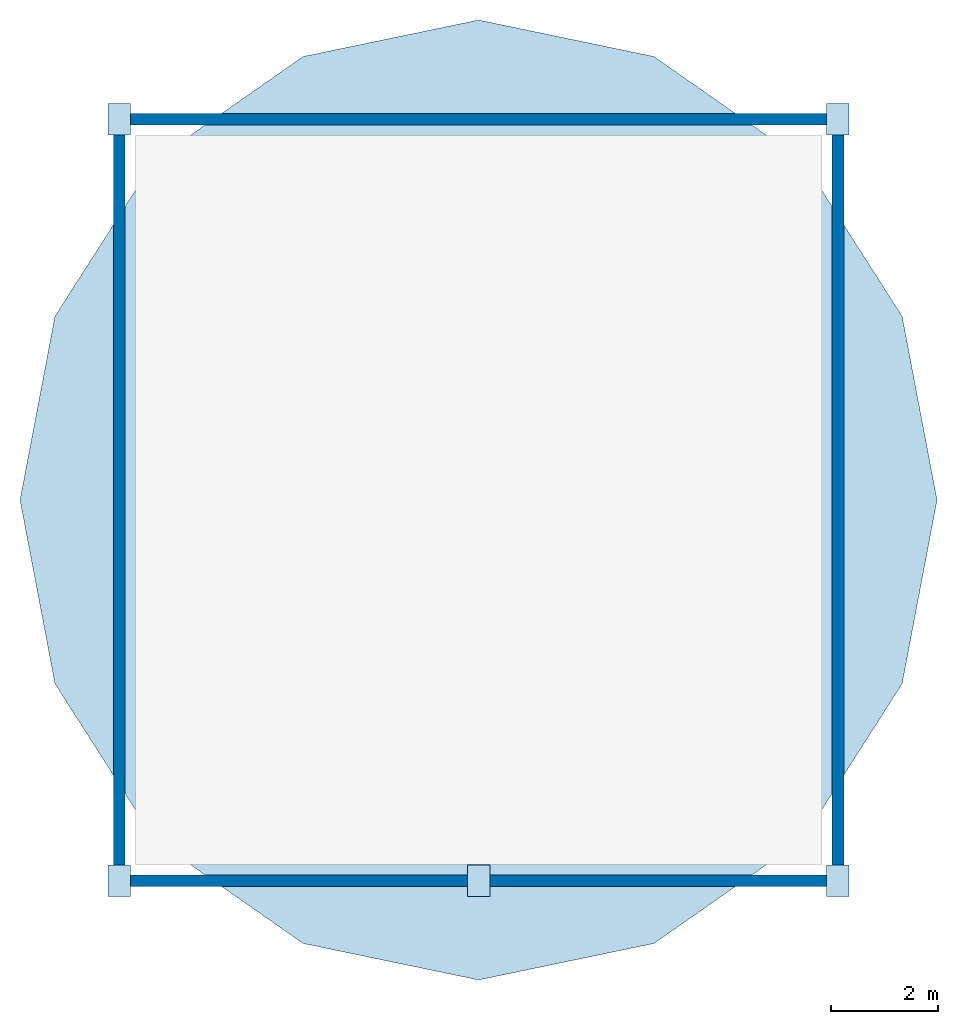
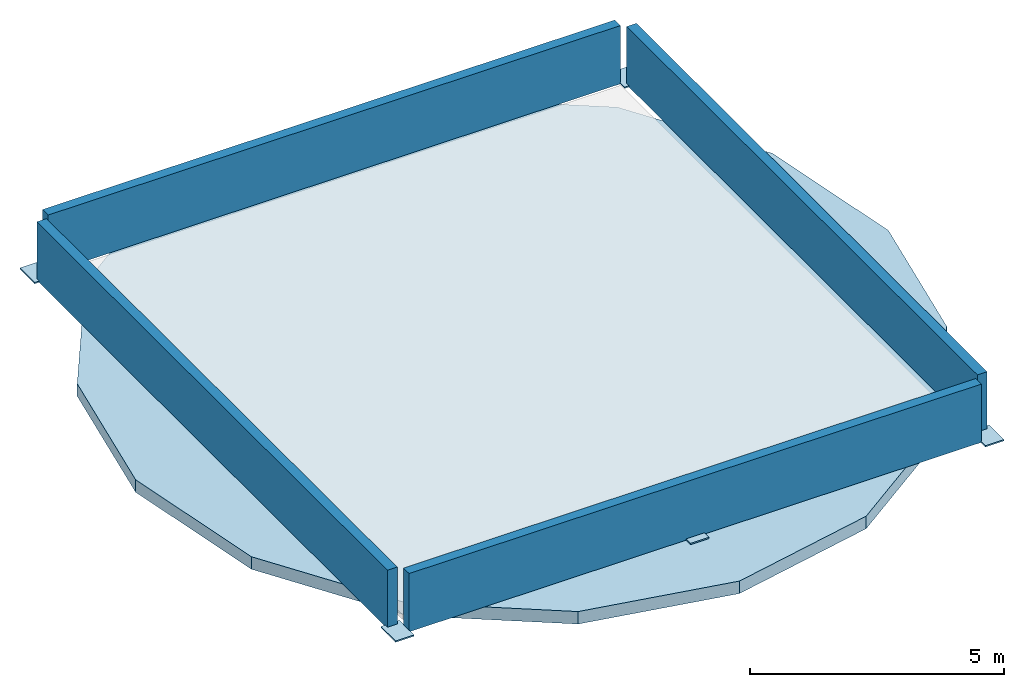
# One storey, part 1 of 2: 5 plates, 4 walls, 1 slab.
"""IFC4 building model written with IfcOpenShell, lengths in metres."""

from ifc_helpers import new_model, si_unit, direction, frame, frame_2d, origin, origin_2d, place, context, subcontext, project, spatial, polyline, rectangle, outline, extrude, material, layer, layer_set, type_object, element, save


model = new_model("IFC4")

# Units and contexts
model_context = context("Model", 3, precision=1e-05, world=origin(), true_north=direction((0.0, 1.0)))
body_context = subcontext(model_context, "Body", "Model", "MODEL_VIEW")
ifc_project = project(units=[si_unit("LENGTHUNIT", "METRE"), si_unit("AREAUNIT", "SQUARE_METRE"), si_unit("VOLUMEUNIT", "CUBIC_METRE"), si_unit("PLANEANGLEUNIT", "RADIAN"), si_unit("MASSUNIT", "GRAM", prefix="KILO")], contexts=[model_context])

# Site, building, storey
site_placement = place(None, origin())
site = spatial("IfcSite", under=ifc_project, at=site_placement, CompositionType="ELEMENT")
building_placement = place(site_placement, origin())
building = spatial("IfcBuilding", under=site, at=building_placement, Name="Solvaryn Broadcast Tower", CompositionType="ELEMENT")
storey_placement = place(building_placement, frame((0.0, 0.0, 329.39990234375)))
storey = spatial("IfcBuildingStorey", under=building, at=storey_placement, Name="Roof West", CompositionType="ELEMENT", Elevation=329.39990234375)

# Plates
ifc_material_1 = material(Name="Steel ASTM A572 Grade 50", Category="steel")
ifc_layer_1 = layer(ifc_material_1, 0.031982421875)
ifc_layer_set_1 = layer_set([ifc_layer_1], Name="PL-ENDCAP-32")
plate_type = type_object("IfcPlateType", Name="PL-ENDCAP-32", PredefinedType="USERDEFINED", material=ifc_layer_set_1)
for number, where, z_axis, x_axis, name in (
    (1, (11.199951171875, 28.199951171875, 0.0), (0.0, 0.0, 1.0), (1.0, 0.0, 0.0), "West Crown Column Cap Plate 1"),
    (2, (17.89990234375, 28.199951171875, 0.0), (0.0, 0.0, 1.0), (1.0, 0.0, 0.0), "West Crown Column Cap Plate 2"),
    (3, (24.60009765625, 28.199951171875, 0.0), (0.0, 0.0, 1.0), (1.0, 0.0, 0.0), "West Crown Column Cap Plate 3"),
    (4, (24.60009765625, 42.39990234375, 0.0), (0.0, 0.0, 1.0), (1.0, 0.0, 0.0), "West Crown Column Cap Plate 4"),
    (5, (11.199951171875, 42.39990234375, 0.0), (0.0, 0.0, 1.0), (1.0, 0.0, 0.0), "West Crown Column Cap Plate 5"),
):
    element("IfcPlate", number, at=place(storey_placement, frame(where, z_axis=z_axis, x_axis=x_axis)), inside=storey, type_object=plate_type, Name=name, ObjectType="FLANGE_PLATE", PredefinedType="USERDEFINED", context=body_context, shape_type="SweptSolid", body=[
        extrude(rectangle(XDim=0.419921875, YDim=0.580078125, at=origin_2d()), origin(), (0.0, 0.0, 1.0), 0.031982421875),
    ])

# Slab
ifc_material_2 = material(Name="Concrete f'c 60 MPa", Category="concrete")
ifc_layer_2 = layer(ifc_material_2, 0.300048828125)
ifc_layer_set_2 = layer_set([ifc_layer_2], Name="SL-ROOF-300")
slab_type = type_object("IfcSlabType", Name="SL-ROOF-300", PredefinedType="ROOF", material=ifc_layer_set_2)
slab_placement = place(storey_placement, frame((0.0, 0.0, -0.2998046875)))
element("IfcSlab", 6, at=slab_placement, inside=storey, type_object=slab_type, Name="West Lantern Drum Closed Flat Roof", PredefinedType="ROOF", context=body_context, shape_type="SweptSolid", body=[
    extrude(outline(polyline([(26.449951171875, 35.300048828125), (25.799072265625, 38.72509765625), (23.946044921875, 41.62890625), (21.172119140625, 43.569091796875), (17.89990234375, 44.25), (14.6279296875, 43.569091796875), (11.85400390625, 41.62890625), (10.0009765625, 38.72509765625), (9.35009765625, 35.300048828125), (10.0009765625, 31.875), (11.85400390625, 28.970947265625), (14.6279296875, 27.031005859375), (17.89990234375, 26.35009765625), (21.172119140625, 27.031005859375), (23.946044921875, 28.970947265625), (25.799072265625, 31.875), (26.449951171875, 35.300048828125)])), origin(), (0.0, 0.0, 1.0), 0.2998046875),
])

# Walls
ifc_material_3 = material(Name="Concrete f'c 50 MPa", Category="concrete")
ifc_layer_3 = layer(ifc_material_3, 0.219970703125)
ifc_layer_set_3 = layer_set([ifc_layer_3], Name="PR-CROWN-220")
wall_type = type_object("IfcWallType", Name="PR-CROWN-220", PredefinedType="PARAPET", material=ifc_layer_set_3)
wall_1_placement = place(storey_placement, frame((11.39990234375, 28.199951171875, 0.0), z_axis=(0.0, 0.0, 1.0), x_axis=(1.0, 0.0, 0.0)))
element("IfcWall", 7, at=wall_1_placement, inside=storey, type_object=wall_type, Name="West Peak Crown Roof Parapet 1", PredefinedType="PARAPET", context=body_context, shape_type="SweptSolid", body=[
    extrude(rectangle(XDim=13.0, YDim=0.219970703125, at=frame_2d((6.5, 0.0))), origin(), (0.0, 0.0, 1.0), 1.400146484375),
])
wall_2_placement = place(storey_placement, frame((24.60009765625, 28.39990234375, 0.0), z_axis=(0.0, 0.0, 1.0), x_axis=(0.0, 1.0, 0.0)))
element("IfcWall", 8, at=wall_2_placement, inside=storey, type_object=wall_type, Name="West Peak Crown Roof Parapet 2", PredefinedType="PARAPET", context=body_context, shape_type="SweptSolid", body=[
    extrude(rectangle(XDim=13.800048828125, YDim=0.219970703125, at=frame_2d((6.89990234375, 0.0))), origin(), (0.0, 0.0, 1.0), 1.400146484375),
])
wall_3_placement = place(storey_placement, frame((24.39990234375, 42.39990234375, 0.0), z_axis=(0.0, 0.0, 1.0), x_axis=(-1.0, 0.0, 0.0)))
element("IfcWall", 9, at=wall_3_placement, inside=storey, type_object=wall_type, Name="West Peak Crown Roof Parapet 3", PredefinedType="PARAPET", context=body_context, shape_type="SweptSolid", body=[
    extrude(rectangle(XDim=13.0, YDim=0.219970703125, at=frame_2d((6.5, 0.0))), origin(), (0.0, 0.0, 1.0), 1.400146484375),
])
wall_4_placement = place(storey_placement, frame((11.199951171875, 42.199951171875, 0.0), z_axis=(0.0, 0.0, 1.0), x_axis=(0.0, -1.0, 0.0)))
element("IfcWall", 10, at=wall_4_placement, inside=storey, type_object=wall_type, Name="West Peak Crown Roof Parapet 4", PredefinedType="PARAPET", context=body_context, shape_type="SweptSolid", body=[
    extrude(rectangle(XDim=13.800048828125, YDim=0.219970703125, at=frame_2d((6.89990234375, 0.0))), origin(), (0.0, 0.0, 1.0), 1.400146484375),
])

save(model, "model.ifc")
